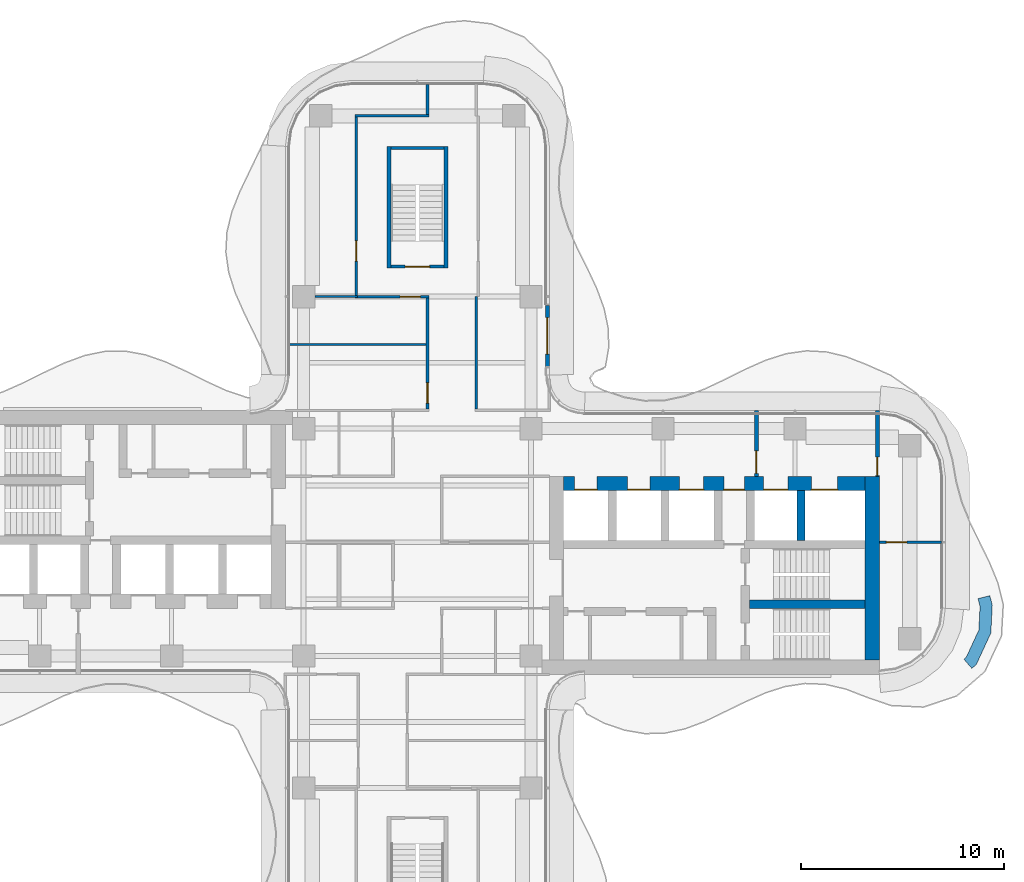
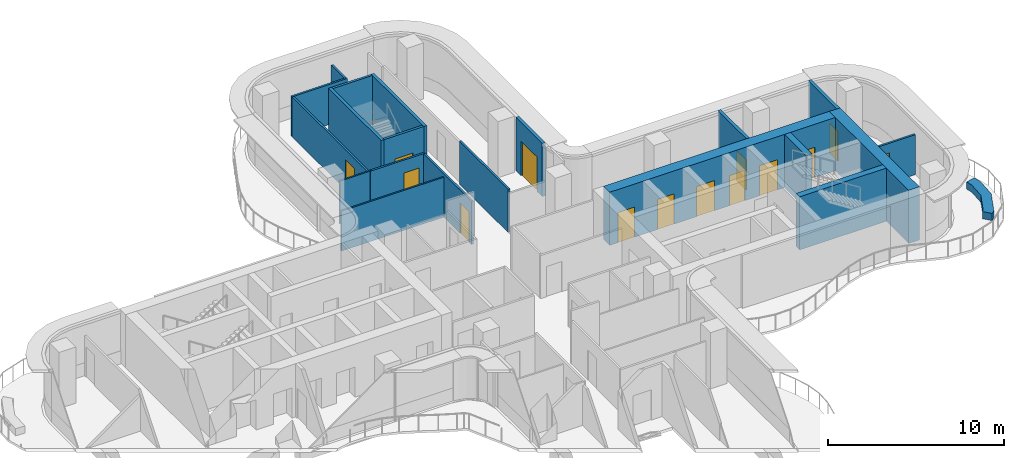
# One storey, part 14 of 17: 21 walls, 14 doors, 14 openings.
"""IFC4 building model written with IfcOpenShell, lengths in metres."""

from ifc_helpers import new_model, si_unit, direction, frame, frame_2d, origin, place, context, subcontext, project, spatial, polyline, rectangle, outline, extrude, source, transform, mapped, material, layer, layer_set, type_object, element, fill, save


model = new_model("IFC4")

# Units and contexts
model_context = context("Model", 3, precision=1e-05, world=origin(), true_north=direction((0.0, 1.0)))
body_context = subcontext(model_context, "Body", "Model", "MODEL_VIEW")
ifc_project = project(units=[si_unit("LENGTHUNIT", "METRE"), si_unit("AREAUNIT", "SQUARE_METRE"), si_unit("VOLUMEUNIT", "CUBIC_METRE"), si_unit("PLANEANGLEUNIT", "RADIAN"), si_unit("MASSUNIT", "GRAM", prefix="KILO")], contexts=[model_context])

# Site, building, storey
site_placement = place(None, origin())
site = spatial("IfcSite", under=ifc_project, at=site_placement, CompositionType="ELEMENT")
building_placement = place(site_placement, origin())
building = spatial("IfcBuilding", under=site, at=building_placement, Name="Trellis Farm Tower", CompositionType="ELEMENT")
storey_placement = place(building_placement, frame((0.0, 0.0, 259.699951171875)))
storey = spatial("IfcBuildingStorey", under=building, at=storey_placement, Name="L58", CompositionType="ELEMENT", Elevation=259.699951171875)

# Walls
ifc_material_1 = material(Name="Sandstone faced masonry planter", Category="masonry")
ifc_layer_1 = layer(ifc_material_1, 0.60009765625)
ifc_layer_set_1 = layer_set([ifc_layer_1], Name="PLANTER BED 600")
wall_type_1 = type_object("IfcWallType", Name="PLANTER BED 600", PredefinedType="USERDEFINED", material=ifc_layer_set_1)
wall_1_placement = place(storey_placement, origin())
element("IfcWall", 1, at=wall_1_placement, inside=storey, type_object=wall_type_1, Name="PLANTER bed", ObjectType="PLANTER", PredefinedType="USERDEFINED", context=body_context, shape_type="SweptSolid", body=[
    extrude(outline(polyline([(28.242919921875, -4.467041015625), (27.525390625, -6.019287109375), (27.305908203125, -6.209716796875), (26.9130859375, -5.755859375), (27.03515625, -5.650390625), (27.649658203125, -4.321044921875), (27.707763671875, -3.156982421875), (27.609375, -2.772705078125), (28.190673828125, -2.623779296875), (28.3115234375, -3.09619140625), (28.242919921875, -4.467041015625)])), origin(), (0.0, 0.0, 1.0), 0.5),
])
ifc_material_2 = material(Name="Concrete C60/75", Category="concrete")
ifc_layer_2 = layer(ifc_material_2, 0.699951171875)
ifc_layer_set_2 = layer_set([ifc_layer_2], Name="CORE OUTER WALL 700 CONCRETE C60/75")
wall_type_2 = type_object("IfcWallType", Name="CORE OUTER WALL 700 CONCRETE C60/75", PredefinedType="SHEAR", material=ifc_layer_set_2)
shared_shape_1 = source(origin(), body_context, "Body", "SweptSolid", [
    extrude(rectangle(XDim=9.050048828125, YDim=0.699951171875, at=frame_2d((4.52490234375, 0.0))), origin(), (0.0, 0.0, 1.0), 3.699951171875),
])
wall_2_placement = place(storey_placement, frame((22.39990234375, -5.800048828125, 0.0), z_axis=(0.0, 0.0, 1.0), x_axis=(0.0, 1.0, 0.0)))
element("IfcWall", 2, at=wall_2_placement, inside=storey, type_object=wall_type_2, Name="Core wall", PredefinedType="SHEAR", context=body_context, shape_type="MappedRepresentation", body=[
    mapped(shared_shape_1, transform((0.0, 0.0, 0.0))),
])
ifc_layer_3 = layer(ifc_material_2, 0.39990234375)
ifc_layer_set_3 = layer_set([ifc_layer_3], Name="CORE INNER WALL 400 CONCRETE C60/75")
wall_type_3 = type_object("IfcWallType", Name="CORE INNER WALL 400 CONCRETE C60/75", PredefinedType="SHEAR", material=ifc_layer_set_3)
shared_shape_2 = source(origin(), body_context, "Body", "SweptSolid", [
    extrude(rectangle(XDim=2.449951171875, YDim=0.39990234375, at=frame_2d((1.22509765625, 0.0))), origin(), (0.0, 0.0, 1.0), 3.699951171875),
])
wall_3_placement = place(storey_placement, frame((18.89990234375, 0.10009765625, 0.0), z_axis=(0.0, 0.0, 1.0), x_axis=(0.0, 1.0, 0.0)))
element("IfcWall", 3, at=wall_3_placement, inside=storey, type_object=wall_type_3, Name="Core wall", PredefinedType="SHEAR", context=body_context, shape_type="MappedRepresentation", body=[
    mapped(shared_shape_2, transform((0.0, 0.0, 0.0))),
])

# Wall, opening, door
ifc_material_3 = material(Name="Masonry blockwork", Category="masonry")
ifc_layer_4 = layer(ifc_material_3, 0.199951171875)
ifc_layer_set_4 = layer_set([ifc_layer_4], Name="FIRE LOBBY PARTITION 200 BLOCKWORK")
wall_type_4 = type_object("IfcWallType", Name="FIRE LOBBY PARTITION 200 BLOCKWORK", PredefinedType="PARTITIONING", material=ifc_layer_set_4)
shared_shape_3 = source(origin(), body_context, "Body", "SweptSolid", [
    extrude(rectangle(XDim=3.25, YDim=0.199951171875, at=frame_2d((1.625, 0.0))), origin(), (0.0, 0.0, 1.0), 3.699951171875),
])
wall_4_placement = place(storey_placement, frame((16.699951171875, 3.25, 0.0), z_axis=(0.0, 0.0, 1.0), x_axis=(0.0, 1.0, 0.0)))
wall_4 = element("IfcWall", 4, at=wall_4_placement, inside=storey, type_object=wall_type_4, Name="Fire-fighting lobby partition", PredefinedType="PARTITIONING", context=body_context, shape_type="MappedRepresentation", body=[
    mapped(shared_shape_3, transform((0.0, 0.0, 0.0))),
])
shared_shape_4 = source(origin(), body_context, "Body", "SweptSolid", [
    extrude(rectangle(XDim=1.10009765625, YDim=2.10009765625, at=frame_2d((0.550048828125, 1.050048828125))), frame((0.0, 0.110107421875, 0.0), z_axis=(0.0, -1.0, 0.0), x_axis=(1.0, 0.0, 0.0)), (0.0, 0.0, 1.0), 0.22021484375),
])
opening_1_placement = place(wall_4_placement, frame((0.14990234375, 0.0, 0.0)))
opening_1 = element("IfcOpeningElement", 5, at=opening_1_placement, cuts=wall_4, Name="Opening DC7", PredefinedType="OPENING", context=body_context, shape_type="MappedRepresentation", body=[
    mapped(shared_shape_4, transform((0.0, 0.0, 0.0))),
])
ifc_material_4 = material(Name="Steel", Category="steel")
door_type_1 = type_object("IfcDoorType", Name="CORE FIRE DOOR 1100 X 2100", OperationType="NOTDEFINED", PredefinedType="DOOR", material=ifc_material_4)
shared_shape_5 = source(origin(), body_context, "Body", "SweptSolid", [
    extrude(rectangle(XDim=1.10009765625, YDim=2.10009765625, at=frame_2d((0.550048828125, 1.050048828125))), frame((0.0, 0.02490234375, 0.0), z_axis=(0.0, -1.0, 0.0), x_axis=(1.0, 0.0, 0.0)), (0.0, 0.0, 1.0), 0.050048828125),
])
door_1_placement = place(opening_1_placement, origin())
door_1 = element("IfcDoor", 6, at=door_1_placement, inside=storey, type_object=door_type_1, Name="Core door", OperationType="SINGLE_SWING_RIGHT", OverallHeight=2.10009765625, OverallWidth=1.10009765625, PredefinedType="DOOR", context=body_context, shape_type="MappedRepresentation", body=[
    mapped(shared_shape_5, transform((0.0, 0.0, 0.0))),
])
fill(opening_1, door_1)

wall_5_placement = place(storey_placement, frame((22.64990234375, 3.25, 0.0), z_axis=(0.0, 0.0, 1.0), x_axis=(0.0, 1.0, 0.0)))
wall_5 = element("IfcWall", 7, at=wall_5_placement, inside=storey, type_object=wall_type_4, Name="Fire-fighting lobby partition", PredefinedType="PARTITIONING", context=body_context, shape_type="MappedRepresentation", body=[
    mapped(shared_shape_3, transform((0.0, 0.0, 0.0))),
])
shared_shape_6 = source(origin(), body_context, "Body", "SweptSolid", [
    extrude(rectangle(XDim=0.89990234375, YDim=2.10009765625, at=frame_2d((0.449951171875, 1.050048828125))), frame((0.0, 0.110107421875, 0.0), z_axis=(0.0, -1.0, 0.0), x_axis=(1.0, 0.0, 0.0)), (0.0, 0.0, 1.0), 0.22021484375),
])
opening_2_placement = place(wall_5_placement, frame((0.050048828125, 0.0, 0.0)))
opening_2 = element("IfcOpeningElement", 8, at=opening_2_placement, cuts=wall_5, Name="Opening DC8", PredefinedType="OPENING", context=body_context, shape_type="MappedRepresentation", body=[
    mapped(shared_shape_6, transform((0.0, 0.0, 0.0))),
])
door_type_2 = type_object("IfcDoorType", Name="CORE FIRE DOOR 900 X 2100", OperationType="NOTDEFINED", PredefinedType="DOOR", material=ifc_material_4)
shared_shape_7 = source(origin(), body_context, "Body", "SweptSolid", [
    extrude(rectangle(XDim=0.89990234375, YDim=2.10009765625, at=frame_2d((0.449951171875, 1.050048828125))), frame((0.0, 0.02490234375, 0.0), z_axis=(0.0, -1.0, 0.0), x_axis=(1.0, 0.0, 0.0)), (0.0, 0.0, 1.0), 0.050048828125),
])
door_2_placement = place(opening_2_placement, origin())
door_2 = element("IfcDoor", 9, at=door_2_placement, inside=storey, type_object=door_type_2, Name="Core door", OperationType="SINGLE_SWING_RIGHT", OverallHeight=2.10009765625, OverallWidth=0.89990234375, PredefinedType="DOOR", context=body_context, shape_type="MappedRepresentation", body=[
    mapped(shared_shape_7, transform((0.0, 0.0, 0.0))),
])
fill(opening_2, door_2)

# Wall, openings, doors
shared_shape_8 = source(origin(), body_context, "Body", "SweptSolid", [
    extrude(rectangle(XDim=14.85009765625, YDim=0.699951171875, at=frame_2d((7.425048828125, 0.0))), origin(), (0.0, 0.0, 1.0), 3.699951171875),
])
wall_6_placement = place(storey_placement, frame((7.199951171875, 2.89990234375, 0.0), z_axis=(0.0, 0.0, 1.0), x_axis=(1.0, 0.0, 0.0)))
wall_6 = element("IfcWall", 10, at=wall_6_placement, inside=storey, type_object=wall_type_2, Name="Core wall", PredefinedType="SHEAR", context=body_context, shape_type="MappedRepresentation", body=[
    mapped(shared_shape_8, transform((0.0, 0.0, 0.0))),
])
shared_shape_9 = source(origin(), body_context, "Body", "SweptSolid", [
    extrude(rectangle(XDim=1.10009765625, YDim=2.10009765625, at=frame_2d((0.550048828125, 1.050048828125))), frame((0.0, 0.360107421875, 0.0), z_axis=(0.0, -1.0, 0.0), x_axis=(1.0, 0.0, 0.0)), (0.0, 0.0, 1.0), 0.72021484375),
])
opening_3_placement = place(wall_6_placement, frame((0.550048828125, 0.0, 0.0)))
opening_3 = element("IfcOpeningElement", 11, at=opening_3_placement, cuts=wall_6, Name="Opening LD4", PredefinedType="OPENING", context=body_context, shape_type="MappedRepresentation", body=[
    mapped(shared_shape_9, transform((0.0, 0.0, 0.0))),
])
opening_4_placement = place(wall_6_placement, frame((3.14990234375, 0.0, 0.0)))
opening_4 = element("IfcOpeningElement", 12, at=opening_4_placement, cuts=wall_6, Name="Opening LD5", PredefinedType="OPENING", context=body_context, shape_type="MappedRepresentation", body=[
    mapped(shared_shape_9, transform((0.0, 0.0, 0.0))),
])
shared_shape_10 = source(origin(), body_context, "Body", "SweptSolid", [
    extrude(rectangle(XDim=1.199951171875, YDim=2.10009765625, at=frame_2d((0.60009765625, 1.050048828125))), frame((0.0, 0.360107421875, 0.0), z_axis=(0.0, -1.0, 0.0), x_axis=(1.0, 0.0, 0.0)), (0.0, 0.0, 1.0), 0.72021484375),
])
opening_5_placement = place(wall_6_placement, frame((5.699951171875, 0.0, 0.0)))
opening_5 = element("IfcOpeningElement", 13, at=opening_5_placement, cuts=wall_6, Name="Opening LD6", PredefinedType="OPENING", context=body_context, shape_type="MappedRepresentation", body=[
    mapped(shared_shape_10, transform((0.0, 0.0, 0.0))),
])
shared_shape_11 = source(origin(), body_context, "Body", "SweptSolid", [
    extrude(rectangle(XDim=1.300048828125, YDim=2.10009765625, at=frame_2d((0.64990234375, 1.050048828125))), frame((0.0, 0.360107421875, 0.0), z_axis=(0.0, -1.0, 0.0), x_axis=(1.0, 0.0, 0.0)), (0.0, 0.0, 1.0), 0.72021484375),
])
opening_6_placement = place(wall_6_placement, frame((12.199951171875, 0.0, 0.0)))
opening_6 = element("IfcOpeningElement", 14, at=opening_6_placement, cuts=wall_6, Name="Opening LD7", PredefinedType="OPENING", context=body_context, shape_type="MappedRepresentation", body=[
    mapped(shared_shape_11, transform((0.0, 0.0, 0.0))),
])
opening_7_placement = place(wall_6_placement, frame((9.85009765625, 0.0, 0.0)))
opening_7 = element("IfcOpeningElement", 15, at=opening_7_placement, cuts=wall_6, Name="Opening LD8", PredefinedType="OPENING", context=body_context, shape_type="MappedRepresentation", body=[
    mapped(shared_shape_10, transform((0.0, 0.0, 0.0))),
])
shared_shape_12 = source(origin(), body_context, "Body", "SweptSolid", [
    extrude(rectangle(XDim=1.0, YDim=2.10009765625, at=frame_2d((0.5, 1.050048828125))), frame((0.0, 0.360107421875, 0.0), z_axis=(0.0, -1.0, 0.0), x_axis=(1.0, 0.0, 0.0)), (0.0, 0.0, 1.0), 0.72021484375),
])
opening_8_placement = place(wall_6_placement, frame((7.89990234375, 0.0, 0.0)))
opening_8 = element("IfcOpeningElement", 16, at=opening_8_placement, cuts=wall_6, Name="Opening DC6", PredefinedType="OPENING", context=body_context, shape_type="MappedRepresentation", body=[
    mapped(shared_shape_12, transform((0.0, 0.0, 0.0))),
])
door_type_3 = type_object("IfcDoorType", Name="CORE FIRE DOOR 1000 X 2100", OperationType="NOTDEFINED", PredefinedType="DOOR", material=ifc_material_4)
shared_shape_13 = source(origin(), body_context, "Body", "SweptSolid", [
    extrude(rectangle(XDim=1.0, YDim=2.10009765625, at=frame_2d((0.5, 1.050048828125))), frame((0.0, -0.27490234375, 0.0), z_axis=(0.0, -1.0, 0.0), x_axis=(1.0, 0.0, 0.0)), (0.0, 0.0, 1.0), 0.050048828125),
])
door_3_placement = place(opening_8_placement, origin())
door_3 = element("IfcDoor", 17, at=door_3_placement, inside=storey, type_object=door_type_3, Name="Core door", OperationType="SINGLE_SWING_LEFT", OverallHeight=2.10009765625, OverallWidth=1.0, PredefinedType="DOOR", context=body_context, shape_type="MappedRepresentation", body=[
    mapped(shared_shape_13, transform((0.0, 0.0, 0.0))),
])
fill(opening_8, door_3)
ifc_material_5 = material(Name="Stainless steel", Category="steel")
door_type_4 = type_object("IfcDoorType", Name="LIFT LANDING DOOR 1300 X 2100", OperationType="DOUBLE_DOOR_SLIDING", PredefinedType="DOOR", material=ifc_material_5)
shared_shape_14 = source(origin(), body_context, "Body", "SweptSolid", [
    extrude(rectangle(XDim=1.300048828125, YDim=2.10009765625, at=frame_2d((0.64990234375, 1.050048828125))), frame((0.0, -0.27490234375, 0.0), z_axis=(0.0, -1.0, 0.0), x_axis=(1.0, 0.0, 0.0)), (0.0, 0.0, 1.0), 0.050048828125),
])
door_4_placement = place(opening_6_placement, origin())
door_4 = element("IfcDoor", 18, at=door_4_placement, inside=storey, type_object=door_type_4, Name="Lift landing door", OperationType="DOUBLE_DOOR_SLIDING", OverallHeight=2.10009765625, OverallWidth=1.300048828125, PredefinedType="DOOR", context=body_context, shape_type="MappedRepresentation", body=[
    mapped(shared_shape_14, transform((0.0, 0.0, 0.0))),
])
fill(opening_6, door_4)
door_type_5 = type_object("IfcDoorType", Name="LIFT LANDING DOOR 1200 X 2100", OperationType="DOUBLE_DOOR_SLIDING", PredefinedType="DOOR", material=ifc_material_5)
shared_shape_15 = source(origin(), body_context, "Body", "SweptSolid", [
    extrude(rectangle(XDim=1.199951171875, YDim=2.10009765625, at=frame_2d((0.60009765625, 1.050048828125))), frame((0.0, -0.27490234375, 0.0), z_axis=(0.0, -1.0, 0.0), x_axis=(1.0, 0.0, 0.0)), (0.0, 0.0, 1.0), 0.050048828125),
])
door_5_placement = place(opening_5_placement, origin())
door_5 = element("IfcDoor", 19, at=door_5_placement, inside=storey, type_object=door_type_5, Name="Lift landing door", OperationType="DOUBLE_DOOR_SLIDING", OverallHeight=2.10009765625, OverallWidth=1.199951171875, PredefinedType="DOOR", context=body_context, shape_type="MappedRepresentation", body=[
    mapped(shared_shape_15, transform((0.0, 0.0, 0.0))),
])
fill(opening_5, door_5)
door_6_placement = place(opening_7_placement, origin())
door_6 = element("IfcDoor", 20, at=door_6_placement, inside=storey, type_object=door_type_5, Name="Lift landing door", OperationType="DOUBLE_DOOR_SLIDING", OverallHeight=2.10009765625, OverallWidth=1.199951171875, PredefinedType="DOOR", context=body_context, shape_type="MappedRepresentation", body=[
    mapped(shared_shape_15, transform((0.0, 0.0, 0.0))),
])
fill(opening_7, door_6)
door_type_6 = type_object("IfcDoorType", Name="LIFT LANDING DOOR 1100 X 2100", OperationType="DOUBLE_DOOR_SLIDING", PredefinedType="DOOR", material=ifc_material_5)
shared_shape_16 = source(origin(), body_context, "Body", "SweptSolid", [
    extrude(rectangle(XDim=1.10009765625, YDim=2.10009765625, at=frame_2d((0.550048828125, 1.050048828125))), frame((0.0, -0.27490234375, 0.0), z_axis=(0.0, -1.0, 0.0), x_axis=(1.0, 0.0, 0.0)), (0.0, 0.0, 1.0), 0.050048828125),
])
door_7_placement = place(opening_3_placement, origin())
door_7 = element("IfcDoor", 21, at=door_7_placement, inside=storey, type_object=door_type_6, Name="Lift landing door", OperationType="DOUBLE_DOOR_SLIDING", OverallHeight=2.10009765625, OverallWidth=1.10009765625, PredefinedType="DOOR", context=body_context, shape_type="MappedRepresentation", body=[
    mapped(shared_shape_16, transform((0.0, 0.0, 0.0))),
])
fill(opening_3, door_7)
door_8_placement = place(opening_4_placement, origin())
door_8 = element("IfcDoor", 22, at=door_8_placement, inside=storey, type_object=door_type_6, Name="Lift landing door", OperationType="DOUBLE_DOOR_SLIDING", OverallHeight=2.10009765625, OverallWidth=1.10009765625, PredefinedType="DOOR", context=body_context, shape_type="MappedRepresentation", body=[
    mapped(shared_shape_16, transform((0.0, 0.0, 0.0))),
])
fill(opening_4, door_8)

# Walls
shared_shape_17 = source(origin(), body_context, "Body", "SweptSolid", [
    extrude(rectangle(XDim=5.699951171875, YDim=0.39990234375, at=frame_2d((2.85009765625, 0.0))), origin(), (0.0, 0.0, 1.0), 3.699951171875),
])
wall_7_placement = place(storey_placement, frame((16.35009765625, -3.050048828125, 0.0), z_axis=(0.0, 0.0, 1.0), x_axis=(1.0, 0.0, 0.0)))
element("IfcWall", 23, at=wall_7_placement, inside=storey, type_object=wall_type_3, Name="Core wall", PredefinedType="SHEAR", context=body_context, shape_type="MappedRepresentation", body=[
    mapped(shared_shape_17, transform((0.0, 0.0, 0.0))),
])
ifc_layer_5 = layer(ifc_material_2, 0.199951171875)
ifc_layer_set_5 = layer_set([ifc_layer_5], Name="CORE STAIR ENCLOSURE WALL 200 CONCRETE C60/75")
wall_type_5 = type_object("IfcWallType", Name="CORE STAIR ENCLOSURE WALL 200 CONCRETE C60/75", PredefinedType="SHEAR", material=ifc_layer_set_5)
shared_shape_18 = source(origin(), body_context, "Body", "SweptSolid", [
    extrude(rectangle(XDim=6.0, YDim=0.199951171875, at=frame_2d((3.0, 0.0))), origin(), (0.0, 0.0, 1.0), 3.699951171875),
])
for number, where, z_axis, x_axis, name in (
    (24, (-1.39990234375, 13.5, 0.0), (0.0, 0.0, 1.0), (0.0, 1.0, 0.0), "Stair enclosure wall"),
    (25, (1.39990234375, 13.5, 0.0), (0.0, 0.0, 1.0), (0.0, 1.0, 0.0), "Stair enclosure wall"),
):
    element("IfcWall", number, at=place(storey_placement, frame(where, z_axis=z_axis, x_axis=x_axis)), inside=storey, type_object=wall_type_5, Name=name, PredefinedType="SHEAR", context=body_context, shape_type="MappedRepresentation", body=[
        mapped(shared_shape_18, transform((0.0, 0.0, 0.0))),
    ])

# Wall, opening, door
ifc_layer_6 = layer(ifc_material_2, 0.14990234375)
ifc_layer_set_6 = layer_set([ifc_layer_6], Name="CORE STAIR ENCLOSURE WALL 150 CONCRETE C60/75")
wall_type_6 = type_object("IfcWallType", Name="CORE STAIR ENCLOSURE WALL 150 CONCRETE C60/75", PredefinedType="SHEAR", material=ifc_layer_set_6)
shared_shape_19 = source(origin(), body_context, "Body", "SweptSolid", [
    extrude(rectangle(XDim=2.60009765625, YDim=0.14990234375, at=frame_2d((1.300048828125, 0.0))), origin(), (0.0, 0.0, 1.0), 3.699951171875),
])
wall_8_placement = place(storey_placement, frame((-1.300048828125, 13.574951171875, 0.0), z_axis=(0.0, 0.0, 1.0), x_axis=(1.0, 0.0, 0.0)))
wall_8 = element("IfcWall", 26, at=wall_8_placement, inside=storey, type_object=wall_type_6, Name="Stair enclosure wall", PredefinedType="SHEAR", context=body_context, shape_type="MappedRepresentation", body=[
    mapped(shared_shape_19, transform((0.0, 0.0, 0.0))),
])
shared_shape_20 = source(origin(), body_context, "Body", "SweptSolid", [
    extrude(rectangle(XDim=1.199951171875, YDim=2.10009765625, at=frame_2d((0.60009765625, 1.050048828125))), frame((0.0, 0.0849609375, 0.0), z_axis=(0.0, -1.0, 0.0), x_axis=(1.0, 0.0, 0.0)), (0.0, 0.0, 1.0), 0.169921875),
])
opening_9_placement = place(wall_8_placement, frame((0.699951171875, 0.0, 0.0)))
opening_9 = element("IfcOpeningElement", 27, at=opening_9_placement, cuts=wall_8, Name="Opening DC173", PredefinedType="OPENING", context=body_context, shape_type="MappedRepresentation", body=[
    mapped(shared_shape_20, transform((0.0, 0.0, 0.0))),
])
door_type_7 = type_object("IfcDoorType", Name="CORE FIRE DOOR 1200 X 2100", OperationType="NOTDEFINED", PredefinedType="DOOR", material=ifc_material_4)
shared_shape_21 = source(origin(), body_context, "Body", "SweptSolid", [
    extrude(rectangle(XDim=1.199951171875, YDim=2.10009765625, at=frame_2d((0.60009765625, 1.050048828125))), frame((0.0, 0.02490234375, 0.0), z_axis=(0.0, -1.0, 0.0), x_axis=(1.0, 0.0, 0.0)), (0.0, 0.0, 1.0), 0.050048828125),
])
door_9_placement = place(opening_9_placement, origin())
door_9 = element("IfcDoor", 28, at=door_9_placement, inside=storey, type_object=door_type_7, Name="Core door", OperationType="SINGLE_SWING_LEFT", OverallHeight=2.10009765625, OverallWidth=1.199951171875, PredefinedType="DOOR", context=body_context, shape_type="MappedRepresentation", body=[
    mapped(shared_shape_21, transform((0.0, 0.0, 0.0))),
])
fill(opening_9, door_9)

# Wall
wall_9_placement = place(storey_placement, frame((-1.300048828125, 19.425048828125, 0.0), z_axis=(0.0, 0.0, 1.0), x_axis=(1.0, 0.0, 0.0)))
element("IfcWall", 29, at=wall_9_placement, inside=storey, type_object=wall_type_6, Name="Stair enclosure wall", PredefinedType="SHEAR", context=body_context, shape_type="MappedRepresentation", body=[
    mapped(shared_shape_19, transform((0.0, 0.0, 0.0))),
])

# Wall, opening, door
ifc_material_6 = material(Name="Sandstone faced insulated wall", Category="masonry")
ifc_layer_7 = layer(ifc_material_6, 0.199951171875)
ifc_layer_set_7 = layer_set([ifc_layer_7], Name="EXTERNAL INFILL WALL 200")
wall_type_7 = type_object("IfcWallType", Name="EXTERNAL INFILL WALL 200", PredefinedType="SOLIDWALL", material=ifc_layer_set_7)
shared_shape_22 = source(origin(), body_context, "Body", "SweptSolid", [
    extrude(rectangle(XDim=3.0, YDim=0.199951171875, at=frame_2d((1.5, 0.0))), origin(), (0.0, 0.0, 1.0), 3.699951171875),
])
wall_10_placement = place(storey_placement, frame((6.39990234375, 8.665771484375, 0.0), z_axis=(0.0, 0.0, 1.0), x_axis=(0.0, 1.0, 0.0)))
wall_10 = element("IfcWall", 30, at=wall_10_placement, inside=storey, type_object=wall_type_7, Name="EW1 01", PredefinedType="SOLIDWALL", context=body_context, shape_type="MappedRepresentation", body=[
    mapped(shared_shape_22, transform((0.0, 0.0, 0.0))),
])
shared_shape_23 = source(origin(), body_context, "Body", "SweptSolid", [
    extrude(rectangle(XDim=1.800048828125, YDim=2.39990234375, at=frame_2d((0.89990234375, 1.199951171875))), frame((0.0, 0.110107421875, 0.0), z_axis=(0.0, -1.0, 0.0), x_axis=(1.0, 0.0, 0.0)), (0.0, 0.0, 1.0), 0.22021484375),
])
opening_10_placement = place(wall_10_placement, frame((0.60009765625, 0.0, 0.0)))
opening_10 = element("IfcOpeningElement", 31, at=opening_10_placement, cuts=wall_10, Name="Opening ED1", PredefinedType="OPENING", context=body_context, shape_type="MappedRepresentation", body=[
    mapped(shared_shape_23, transform((0.0, 0.0, 0.0))),
])
ifc_material_7 = material(Name="Aluminium framed glazed door", Category="aluminium")
door_type_8 = type_object("IfcDoorType", Name="BALCONY DOOR 1800x2400", OperationType="DOUBLE_DOOR_SINGLE_SWING", PredefinedType="DOOR", material=ifc_material_7)
shared_shape_24 = source(origin(), body_context, "Body", "SweptSolid", [
    extrude(rectangle(XDim=1.800048828125, YDim=2.39990234375, at=frame_2d((0.89990234375, 1.199951171875))), frame((0.0, 0.02490234375, 0.0), z_axis=(0.0, -1.0, 0.0), x_axis=(1.0, 0.0, 0.0)), (0.0, 0.0, 1.0), 0.050048828125),
])
door_10_placement = place(opening_10_placement, origin())
door_10 = element("IfcDoor", 32, at=door_10_placement, inside=storey, type_object=door_type_8, Name="Balcony door", OperationType="DOUBLE_DOOR_SINGLE_SWING", OverallHeight=2.39990234375, OverallWidth=1.800048828125, PredefinedType="DOOR", context=body_context, shape_type="MappedRepresentation", body=[
    mapped(shared_shape_24, transform((0.0, 0.0, 0.0))),
])
fill(opening_10, door_10)

ifc_material_8 = material(Name="Plasterboard on steel studs, mineral wool", Category="steel")
ifc_layer_8 = layer(ifc_material_8, 0.125)
ifc_layer_set_8 = layer_set([ifc_layer_8], Name="PARTITION 125 STUD EI 60")
wall_type_8 = type_object("IfcWallType", Name="PARTITION 125 STUD EI 60", PredefinedType="PARTITIONING", material=ifc_layer_set_8)
shared_shape_25 = source(origin(), body_context, "Body", "SweptSolid", [
    extrude(rectangle(XDim=5.47509765625, YDim=0.125, at=frame_2d((2.737548828125, 0.0))), origin(), (0.0, 0.0, 1.0), 2.99658203125),
])
wall_11_placement = place(storey_placement, frame((0.5, 12.03759765625, 0.0), z_axis=(0.0, 0.0, 1.0), x_axis=(0.0, -1.0, 0.0)))
wall_11 = element("IfcWall", 33, at=wall_11_placement, inside=storey, type_object=wall_type_8, Name="Partition PW1", PredefinedType="PARTITIONING", context=body_context, shape_type="MappedRepresentation", body=[
    mapped(shared_shape_25, transform((0.0, 0.0, 0.0))),
])
shared_shape_26 = source(origin(), body_context, "Body", "SweptSolid", [
    extrude(rectangle(XDim=1.0, YDim=2.10009765625, at=frame_2d((0.5, 1.050048828125))), frame((0.0, 0.072509765625, 0.0), z_axis=(0.0, -1.0, 0.0), x_axis=(1.0, 0.0, 0.0)), (0.0, 0.0, 1.0), 0.14501953125),
])
opening_11_placement = place(wall_11_placement, frame((4.1875, 0.0, 0.0)))
opening_11 = element("IfcOpeningElement", 34, at=opening_11_placement, cuts=wall_11, Name="Opening D113", PredefinedType="OPENING", context=body_context, shape_type="MappedRepresentation", body=[
    mapped(shared_shape_26, transform((0.0, 0.0, 0.0))),
])
ifc_material_9 = material(Name="Fire-rated timber door leaf in a hollow metal frame", Category="wood")
door_type_9 = type_object("IfcDoorType", Name="DOOR 1000x2100 FD30S", OperationType="NOTDEFINED", PredefinedType="DOOR", material=ifc_material_9)
shared_shape_27 = source(origin(), body_context, "Body", "SweptSolid", [
    extrude(rectangle(XDim=1.0, YDim=2.10009765625, at=frame_2d((0.5, 1.050048828125))), frame((0.0, 0.02490234375, 0.0), z_axis=(0.0, -1.0, 0.0), x_axis=(1.0, 0.0, 0.0)), (0.0, 0.0, 1.0), 0.050048828125),
])
door_11_placement = place(opening_11_placement, origin())
door_11 = element("IfcDoor", 35, at=door_11_placement, inside=storey, type_object=door_type_9, Name="Door D113", OperationType="SINGLE_SWING_RIGHT", OverallHeight=2.10009765625, OverallWidth=1.0, PredefinedType="DOOR", context=body_context, shape_type="MappedRepresentation", body=[
    mapped(shared_shape_27, transform((0.0, 0.0, 0.0))),
])
fill(opening_11, door_11)

# Wall
shared_shape_28 = source(origin(), body_context, "Body", "SweptSolid", [
    extrude(rectangle(XDim=5.53759765625, YDim=0.125, at=frame_2d((2.768798828125, 0.0))), origin(), (0.0, 0.0, 1.0), 2.99658203125),
])
wall_12_placement = place(storey_placement, frame((2.89990234375, 12.10009765625, 0.0), z_axis=(0.0, 0.0, 1.0), x_axis=(0.0, -1.0, 0.0)))
element("IfcWall", 36, at=wall_12_placement, inside=storey, type_object=wall_type_8, Name="Partition PW1", PredefinedType="PARTITIONING", context=body_context, shape_type="MappedRepresentation", body=[
    mapped(shared_shape_28, transform((0.0, 0.0, 0.0))),
])

# Wall, opening, door
shared_shape_29 = source(origin(), body_context, "Body", "SweptSolid", [
    extrude(rectangle(XDim=3.625, YDim=0.125, at=frame_2d((1.8125, 0.0))), origin(), (0.0, 0.0, 1.0), 2.99658203125),
])
wall_13_placement = place(storey_placement, frame((0.5625, 12.10009765625, 0.0), z_axis=(0.0, 0.0, 1.0), x_axis=(-1.0, 0.0, 0.0)))
wall_13 = element("IfcWall", 37, at=wall_13_placement, inside=storey, type_object=wall_type_8, Name="Partition PW1", PredefinedType="PARTITIONING", context=body_context, shape_type="MappedRepresentation", body=[
    mapped(shared_shape_29, transform((0.0, 0.0, 0.0))),
])
opening_12_placement = place(wall_13_placement, frame((0.41259765625, 0.0, 0.0)))
opening_12 = element("IfcOpeningElement", 38, at=opening_12_placement, cuts=wall_13, Name="Opening D114", PredefinedType="OPENING", context=body_context, shape_type="MappedRepresentation", body=[
    mapped(shared_shape_26, transform((0.0, 0.0, 0.0))),
])
door_12_placement = place(opening_12_placement, origin())
door_12 = element("IfcDoor", 39, at=door_12_placement, inside=storey, type_object=door_type_9, Name="Door D114", OperationType="SINGLE_SWING_LEFT", OverallHeight=2.10009765625, OverallWidth=1.0, PredefinedType="DOOR", context=body_context, shape_type="MappedRepresentation", body=[
    mapped(shared_shape_27, transform((0.0, 0.0, 0.0))),
])
fill(opening_12, door_12)

# Walls
shared_shape_30 = source(origin(), body_context, "Body", "SweptSolid", [
    extrude(rectangle(XDim=1.487548828125, YDim=0.125, at=frame_2d((0.74365234375, 0.0))), origin(), (0.0, 0.0, 1.0), 2.780029296875),
])
wall_14_placement = place(storey_placement, frame((0.5, 22.550048828125, 0.0), z_axis=(0.0, 0.0, 1.0), x_axis=(0.0, -1.0, 0.0)))
element("IfcWall", 40, at=wall_14_placement, inside=storey, type_object=wall_type_8, Name="Partition PW1", PredefinedType="PARTITIONING", context=body_context, shape_type="MappedRepresentation", body=[
    mapped(shared_shape_30, transform((0.0, 0.0, 0.0))),
])
ifc_material_10 = material(Name="Plasterboard on steel studs", Category="steel")
ifc_layer_9 = layer(ifc_material_10, 0.10009765625)
ifc_layer_set_9 = layer_set([ifc_layer_9], Name="PARTITION 100 STUD EI 30")
wall_type_9 = type_object("IfcWallType", Name="PARTITION 100 STUD EI 30", PredefinedType="PARTITIONING", material=ifc_layer_set_9)
shared_shape_31 = source(origin(), body_context, "Body", "SweptSolid", [
    extrude(rectangle(XDim=6.737548828125, YDim=0.10009765625, at=frame_2d((3.36865234375, 0.0))), origin(), (0.0, 0.0, 1.0), 2.780029296875),
])
wall_15_placement = place(storey_placement, frame((-6.300048828125, 9.75, 0.0), z_axis=(0.0, 0.0, 1.0), x_axis=(1.0, 0.0, 0.0)))
element("IfcWall", 41, at=wall_15_placement, inside=storey, type_object=wall_type_9, Name="Partition PW2", PredefinedType="PARTITIONING", context=body_context, shape_type="MappedRepresentation", body=[
    mapped(shared_shape_31, transform((0.0, 0.0, 0.0))),
])
shared_shape_32 = source(origin(), body_context, "Body", "SweptSolid", [
    extrude(rectangle(XDim=3.625, YDim=0.125, at=frame_2d((1.8125, 0.0))), origin(), (0.0, 0.0, 1.0), 2.780029296875),
])
wall_16_placement = place(storey_placement, frame((-3.0625, 21.0, 0.0), z_axis=(0.0, 0.0, 1.0), x_axis=(1.0, 0.0, 0.0)))
element("IfcWall", 42, at=wall_16_placement, inside=storey, type_object=wall_type_8, Name="Partition PW1", PredefinedType="PARTITIONING", context=body_context, shape_type="MappedRepresentation", body=[
    mapped(shared_shape_32, transform((0.0, 0.0, 0.0))),
])

# Wall, opening, door
shared_shape_33 = source(origin(), body_context, "Body", "SweptSolid", [
    extrude(rectangle(XDim=8.78759765625, YDim=0.125, at=frame_2d((4.393798828125, 0.0))), origin(), (0.0, 0.0, 1.0), 2.780029296875),
])
wall_17_placement = place(storey_placement, frame((-3.0, 12.14990234375, 0.0), z_axis=(0.0, 0.0, 1.0), x_axis=(0.0, 1.0, 0.0)))
wall_17 = element("IfcWall", 43, at=wall_17_placement, inside=storey, type_object=wall_type_8, Name="Partition PW1", PredefinedType="PARTITIONING", context=body_context, shape_type="MappedRepresentation", body=[
    mapped(shared_shape_33, transform((0.0, 0.0, 0.0))),
])
opening_13_placement = place(wall_17_placement, frame((1.699951171875, 0.0, 0.0)))
opening_13 = element("IfcOpeningElement", 44, at=opening_13_placement, cuts=wall_17, Name="Opening D115", PredefinedType="OPENING", context=body_context, shape_type="MappedRepresentation", body=[
    mapped(shared_shape_26, transform((0.0, 0.0, 0.0))),
])
door_13_placement = place(opening_13_placement, origin())
door_13 = element("IfcDoor", 45, at=door_13_placement, inside=storey, type_object=door_type_9, Name="Door D115", OperationType="SINGLE_SWING_LEFT", OverallHeight=2.10009765625, OverallWidth=1.0, PredefinedType="DOOR", context=body_context, shape_type="MappedRepresentation", body=[
    mapped(shared_shape_27, transform((0.0, 0.0, 0.0))),
])
fill(opening_13, door_13)

# Wall
shared_shape_34 = source(origin(), body_context, "Body", "SweptSolid", [
    extrude(rectangle(XDim=2.112548828125, YDim=0.10009765625, at=frame_2d((1.05615234375, 0.0))), origin(), (0.0, 0.0, 1.0), 2.99658203125),
])
wall_18_placement = place(storey_placement, frame((-5.050048828125, 12.10009765625, 0.0), z_axis=(0.0, 0.0, 1.0), x_axis=(1.0, 0.0, 0.0)))
element("IfcWall", 46, at=wall_18_placement, inside=storey, type_object=wall_type_9, Name="Partition PW2", PredefinedType="PARTITIONING", context=body_context, shape_type="MappedRepresentation", body=[
    mapped(shared_shape_34, transform((0.0, 0.0, 0.0))),
])

# Wall, opening, door
shared_shape_35 = source(origin(), body_context, "Body", "SweptSolid", [
    extrude(rectangle(XDim=3.050048828125, YDim=0.125, at=frame_2d((1.52490234375, 0.0))), origin(), (0.0, 0.0, 1.0), 2.780029296875),
])
wall_19_placement = place(storey_placement, frame((25.800048828125, 0.0, 0.0), z_axis=(0.0, 0.0, 1.0), x_axis=(-1.0, 0.0, 0.0)))
wall_19 = element("IfcWall", 47, at=wall_19_placement, inside=storey, type_object=wall_type_8, Name="Partition PW1", PredefinedType="PARTITIONING", context=body_context, shape_type="MappedRepresentation", body=[
    mapped(shared_shape_35, transform((0.0, 0.0, 0.0))),
])
opening_14_placement = place(wall_19_placement, frame((1.699951171875, 0.0, 0.0)))
opening_14 = element("IfcOpeningElement", 48, at=opening_14_placement, cuts=wall_19, Name="Opening D109", PredefinedType="OPENING", context=body_context, shape_type="MappedRepresentation", body=[
    mapped(shared_shape_26, transform((0.0, 0.0, 0.0))),
])
door_14_placement = place(opening_14_placement, origin())
door_14 = element("IfcDoor", 49, at=door_14_placement, inside=storey, type_object=door_type_9, Name="Door D109", OperationType="SINGLE_SWING_RIGHT", OverallHeight=2.10009765625, OverallWidth=1.0, PredefinedType="DOOR", context=body_context, shape_type="MappedRepresentation", body=[
    mapped(shared_shape_27, transform((0.0, 0.0, 0.0))),
])
fill(opening_14, door_14)

save(model, "model.ifc")
